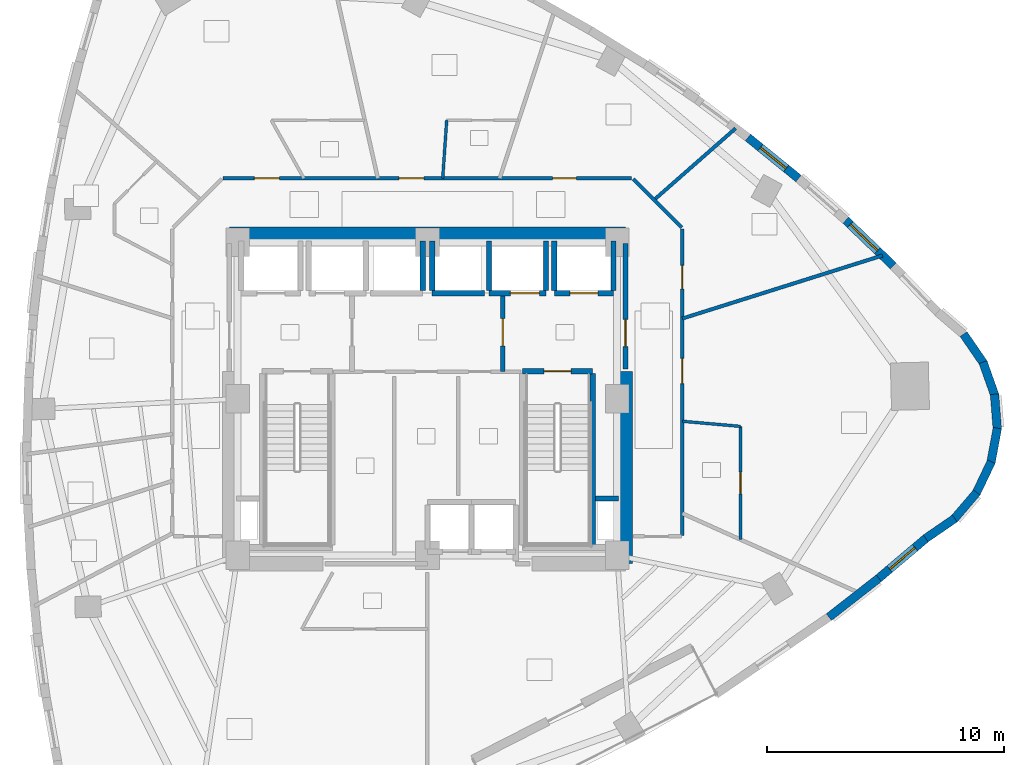
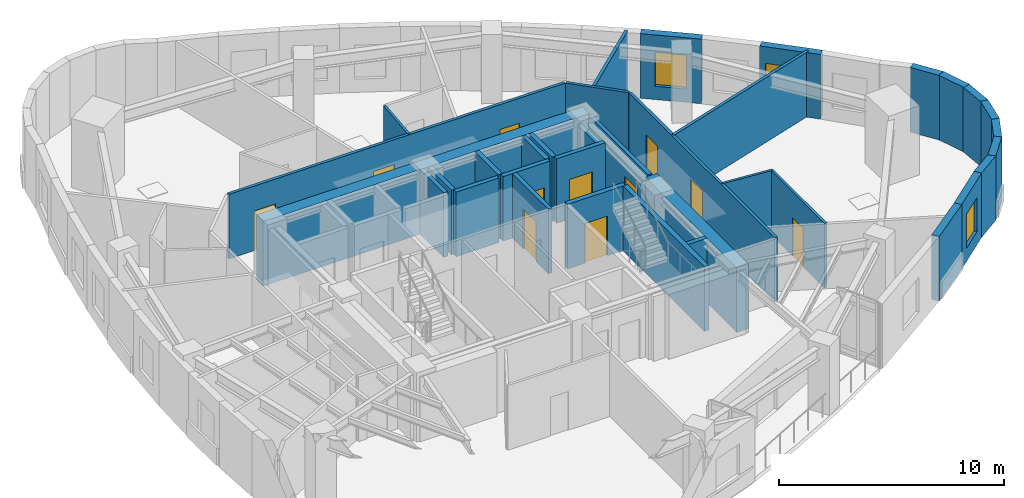
# One storey, part 7 of 11: 35 walls, 11 doors, 3 windows, 14 openings.
"""IFC4 building model written with IfcOpenShell, lengths in metres."""

import ifcopenshell
import ifcopenshell.guid

model = None  # the IFC model being written
_history = None  # IfcOwnerHistory: only IFC2X3 demands one
_inside = {}  # id of a spatial element -> (the spatial element, [elements in it])
_under = {}  # id of a project, library or spatial element -> (it, [spatial elements below it])
_declared = {}  # id of a project -> (the project, [libraries it declares])
_typed = {}  # id of a type object -> (the type object, [elements of that type])
_made_of = {}  # id of a material, layer set ... -> (it, [elements and type objects made of it])


def new_model(schema):
    """Start an empty IFC model of exactly this schema.

    Asked for "IFC4X3", IfcOpenShell would pick the latest addendum, in which some entities
    have other attributes; the version numbers below select the first issue.
    IFC2X3 requires an IfcOwnerHistory on every rooted entity: one is made here for all.
    """
    global model, _history
    if schema == "IFC4X3":
        model = ifcopenshell.file(schema_version=(4, 3, 0, 0))
    else:
        model = ifcopenshell.file(schema=schema)
    _inside.clear()
    _under.clear()
    _declared.clear()
    _typed.clear()
    _made_of.clear()
    _history = None
    if model.schema == "IFC2X3":
        org = make("IfcOrganization", Name="unknown")
        user = make(
            "IfcPersonAndOrganization",
            ThePerson=make("IfcPerson", FamilyName="unknown"),
            TheOrganization=org,
        )
        app = make(
            "IfcApplication",
            ApplicationDeveloper=org,
            Version="unknown",
            ApplicationFullName="unknown",
            ApplicationIdentifier="unknown",
        )
        _history = make(
            "IfcOwnerHistory",
            OwningUser=user,
            OwningApplication=app,
            ChangeAction="ADDED",
            CreationDate=0,
        )
    return model


def make(cls, **values):
    """One entity of the class cls with the attributes given. An attribute that is None is left unset."""
    return model.create_entity(
        cls, **{name: value for name, value in values.items() if value is not None}
    )


def rooted(cls, **values):
    """An entity with a GlobalId (a new one), such as an element, a storey or a relation."""
    return make(cls, GlobalId=ifcopenshell.guid.new(), OwnerHistory=_history, **values)


def si_unit(unit_type, name, prefix=None):
    """IfcSIUnit, for example si_unit("LENGTHUNIT", "METRE", prefix="MILLI")."""
    return make("IfcSIUnit", UnitType=unit_type, Prefix=prefix, Name=name)


def assignment(units):
    """IfcUnitAssignment: the units of a project."""
    return None if units is None else make("IfcUnitAssignment", Units=units)


def point(xyz):
    """IfcCartesianPoint."""
    return None if xyz is None else make("IfcCartesianPoint", Coordinates=xyz)


def direction(xyz):
    """IfcDirection."""
    return None if xyz is None else make("IfcDirection", DirectionRatios=xyz)


def frame(location, z_axis=None, x_axis=None):
    """IfcAxis2Placement3D, a coordinate frame: its origin and axes. An axis left out is left unset."""
    return make(
        "IfcAxis2Placement3D",
        Location=point(location),
        Axis=direction(z_axis),
        RefDirection=direction(x_axis),
    )


def frame_2d(location, x_axis=None):
    """IfcAxis2Placement2D, a coordinate frame in the plane: its origin and x axis."""
    return make(
        "IfcAxis2Placement2D", Location=point(location), RefDirection=direction(x_axis)
    )


def origin():
    """The frame at (0, 0, 0) with its axes left unset."""
    return frame((0.0, 0.0, 0.0))


def place(relative_to, where):
    """IfcLocalPlacement: puts the frame where relative to a parent placement (None: the world)."""
    return make(
        "IfcLocalPlacement", PlacementRelTo=relative_to, RelativePlacement=where
    )


def context(
    kind, dimensions, precision=None, world=None, true_north=None, identifier=None
):
    """IfcGeometricRepresentationContext, for example the 3D "Model" context."""
    return make(
        "IfcGeometricRepresentationContext",
        ContextIdentifier=identifier,
        ContextType=kind,
        CoordinateSpaceDimension=dimensions,
        Precision=precision,
        WorldCoordinateSystem=world,
        TrueNorth=true_north,
    )


def subcontext(parent, identifier, kind, view, scale=None):
    """IfcGeometricRepresentationSubContext, for example "Body" below "Model"."""
    return make(
        "IfcGeometricRepresentationSubContext",
        ContextIdentifier=identifier,
        ContextType=kind,
        ParentContext=parent,
        TargetScale=scale,
        TargetView=view,
    )


def project(units=None, contexts=None):
    """IfcProject with its units and contexts."""
    return rooted(
        "IfcProject",
        Name="project",
        RepresentationContexts=contexts,
        UnitsInContext=assignment(units),
    )


def spatial(cls, under=None, at=None, **own):
    """A site, building, storey or space (cls), placed at a placement, below another one or the project."""
    s = rooted(cls, ObjectPlacement=at, **own)
    if under is not None:
        _under.setdefault(under.id(), (under, []))[1].append(s)
    return s


def profile(cls, at=None, kind="AREA", **sizes):
    """A parametric profile (cls). Its sizes go by their IFC names, for example OverallWidth=200.0."""
    return make(cls, ProfileType=kind, Position=at, **sizes)


def rectangle(**sizes):
    """IfcRectangleProfileDef."""
    return profile("IfcRectangleProfileDef", **sizes)


def extrude(swept, where, along, depth):
    """IfcExtrudedAreaSolid: the profile swept, set in the frame where, extruded along a direction by depth."""
    return make(
        "IfcExtrudedAreaSolid",
        SweptArea=swept,
        Position=where,
        ExtrudedDirection=direction(along),
        Depth=depth,
    )


def shape(context_of_items, identifier, shape_type, items):
    """IfcShapeRepresentation: the items that make up one representation, for example the "Body"."""
    return make(
        "IfcShapeRepresentation",
        ContextOfItems=context_of_items,
        RepresentationIdentifier=identifier,
        RepresentationType=shape_type,
        Items=items,
    )


def material(Name=None, Category=None):
    """IfcMaterial."""
    return make("IfcMaterial", Name=Name, Category=Category)


def layer(
    of_material, thickness, ventilated=None, Name=None, Category=None, Priority=None
):
    """IfcMaterialLayer: one layer of a wall or slab, of a material (None: an air gap)."""
    return make(
        "IfcMaterialLayer",
        Material=of_material,
        LayerThickness=thickness,
        IsVentilated=ventilated,
        Name=Name,
        Category=Category,
        Priority=Priority,
    )


def layer_set(layers, Name=None):
    """IfcMaterialLayerSet."""
    return make("IfcMaterialLayerSet", MaterialLayers=layers, LayerSetName=Name)


def made_of(thing, what):
    """Note that an element or type object is made of a material, layer set ...; save() writes the relation."""
    if what is not None:
        _made_of.setdefault(what.id(), (what, []))[1].append(thing)
    return thing


def type_object(cls, material=None, **own):
    """A type object (cls), such as IfcWallType, which elements share."""
    return made_of(rooted(cls, **own), material)


def element(
    cls,
    number,
    at=None,
    inside=None,
    cuts=None,
    type_object=None,
    material=None,
    context=None,
    identifier="Body",
    shape_type=None,
    held_by="IfcProductDefinitionShape",
    body=None,
    shapes=None,
    **own,
):
    """One element of the class cls, such as IfcWall. Its Tag is "e" and its number.

    at: its placement. inside: the storey or other place that contains it. cuts: it is an
    opening in that element (IfcRelVoidsElement). A single representation is given by context,
    identifier, shape_type and body (its items); several are given by shapes. held_by: the class
    of the entity that holds the representations. save() writes the other relations.
    """
    e = rooted(cls, Tag="e%d" % number, ObjectPlacement=at, **own)
    if body is not None:
        shapes = [shape(context, identifier, shape_type, body)]
    if shapes is not None:
        e.Representation = make(held_by, Representations=shapes)
    if inside is not None:
        _inside.setdefault(inside.id(), (inside, []))[1].append(e)
    if cuts is not None:
        rooted(
            "IfcRelVoidsElement", RelatingBuildingElement=cuts, RelatedOpeningElement=e
        )
    if type_object is not None:
        _typed.setdefault(type_object.id(), (type_object, []))[1].append(e)
    return made_of(e, material)


def fill(opening, filler):
    """IfcRelFillsElement: the door or window that sits in an opening."""
    return rooted(
        "IfcRelFillsElement",
        RelatingOpeningElement=opening,
        RelatedBuildingElement=filler,
    )


def aggregate(whole, parts):
    """IfcRelAggregates: a whole, such as a stair, and the parts it consists of."""
    return rooted("IfcRelAggregates", RelatingObject=whole, RelatedObjects=parts)


def save(model, path):
    """Write the relations noted so far, then the file.

    IfcRelAggregates (storeys below a building ...), IfcRelContainedInSpatialStructure (elements
    in a storey), IfcRelDefinesByType, IfcRelAssociatesMaterial and IfcRelDeclares: one each for
    every whole, place, type object, material and project.
    """
    for whole, parts in _under.values():
        aggregate(whole, parts)
    for where, things in _inside.values():
        rooted(
            "IfcRelContainedInSpatialStructure",
            RelatedElements=things,
            RelatingStructure=where,
        )
    for kind, things in _typed.values():
        rooted("IfcRelDefinesByType", RelatedObjects=things, RelatingType=kind)
    for what, things in _made_of.values():
        rooted("IfcRelAssociatesMaterial", RelatedObjects=things, RelatingMaterial=what)
    for by, libraries in _declared.values():
        rooted("IfcRelDeclares", RelatingContext=by, RelatedDefinitions=libraries)
    model.write(path)


model = new_model("IFC4")

# Units and contexts
model_context = context("Model", 3, precision=1e-05, world=origin(), true_north=direction((0.0, 1.0)))
body_context = subcontext(model_context, "Body", "Model", "MODEL_VIEW")
ifc_project = project(units=[si_unit("LENGTHUNIT", "METRE"), si_unit("AREAUNIT", "SQUARE_METRE"), si_unit("VOLUMEUNIT", "CUBIC_METRE"), si_unit("PLANEANGLEUNIT", "RADIAN"), si_unit("MASSUNIT", "GRAM", prefix="KILO")], contexts=[model_context])

# Site, building, storey
site_placement = place(None, origin())
site = spatial("IfcSite", under=ifc_project, at=site_placement, CompositionType="ELEMENT")
building_placement = place(site_placement, origin())
building = spatial("IfcBuilding", under=site, at=building_placement, Name="Ndelora Gate Hotel", CompositionType="ELEMENT")
storey_placement = place(building_placement, frame((0.0, 0.0, 116.0)))
storey = spatial("IfcBuildingStorey", under=building, at=storey_placement, Name="L28", CompositionType="ELEMENT", Elevation=116.0)

# Wall
ifc_material_1 = material(Name="Clay Brick Masonry", Category="masonry")
ifc_layer_1 = layer(ifc_material_1, 0.360107421875)
ifc_layer_set_1 = layer_set([ifc_layer_1], Name="Clay Brick Masonry")
wall_type_1 = type_object("IfcWallType", Name="WL-BRICK-360", PredefinedType="SOLIDWALL", material=ifc_layer_set_1)
wall_1_placement = place(storey_placement, frame((19.0341796875, -7.561767578125, 0.0), z_axis=(0.0, 0.0, 1.0), x_axis=(-0.788341745542, -0.615237590071, 0.0)))
element("IfcWall", 1, at=wall_1_placement, inside=storey, type_object=wall_type_1, Name="L28 Tower Brick Pier-and-Spandrel Wall TWR-37", PredefinedType="SOLIDWALL", context=body_context, shape_type="SweptSolid", body=[
    extrude(rectangle(XDim=2.669921875, YDim=0.360107421875, at=frame_2d((1.3349609375, 0.0))), origin(), (0.0, 0.0, 1.0), 3.5),
])

# Wall, opening, window
wall_2_placement = place(storey_placement, frame((21.05078125, -5.855712890625, 0.0), z_axis=(0.0, 0.0, 1.0), x_axis=(-0.763688985819, -0.64558433449, 0.0)))
wall_2 = element("IfcWall", 2, at=wall_2_placement, inside=storey, type_object=wall_type_1, Name="L28 Tower Brick Pier-and-Spandrel Wall TWR-38", PredefinedType="SOLIDWALL", context=body_context, shape_type="SweptSolid", body=[
    extrude(rectangle(XDim=2.69140625, YDim=0.360107421875, at=frame_2d((1.345703125, 0.0))), origin(), (0.0, 0.0, 1.0), 3.5),
])
opening_1_placement = place(wall_2_placement, frame((0.645751953125, 0.0, 0.719970703125)))
opening_1 = element("IfcOpeningElement", 3, at=opening_1_placement, cuts=wall_2, Name="Opening W02", PredefinedType="OPENING", context=body_context, shape_type="SweptSolid", body=[
    extrude(rectangle(XDim=1.39990234375, YDim=1.840087890625, at=frame_2d((0.699951171875, 0.919921875))), frame((0.0, 0.18994140625, 0.0), z_axis=(0.0, -1.0, 0.0), x_axis=(1.0, 0.0, 0.0)), (0.0, 0.0, 1.0), 0.380126953125),
])
ifc_material_2 = material(Name="Insulated Low-E Double Glazing in Bronze Aluminium Frame", Category="aluminium")
window_type_1 = type_object("IfcWindowType", Name="WN-DEEP-1400", PartitioningType="SINGLE_PANEL", PredefinedType="WINDOW", material=ifc_material_2)
window_1_placement = place(opening_1_placement, origin())
window_1 = element("IfcWindow", 4, at=window_1_placement, inside=storey, type_object=window_type_1, Name="L28 Deep-Set Brick-Pier Window W02", OverallHeight=1.840087890625, OverallWidth=1.39990234375, PartitioningType="SINGLE_PANEL", PredefinedType="WINDOW", context=body_context, shape_type="SweptSolid", body=[
    extrude(rectangle(XDim=1.39990234375, YDim=1.840087890625, at=frame_2d((0.699951171875, 0.919921875))), frame((0.0, 0.030029296875, 0.0), z_axis=(0.0, -1.0, 0.0), x_axis=(1.0, 0.0, 0.0)), (0.0, 0.0, 1.0), 0.06005859375),
])
fill(opening_1, window_1)

# Walls
for number, where, z_axis, x_axis, name in (
    (5, (22.235595703125, -5.04443359375, 0.0), (0.0, 0.0, 1.0), (-0.824104250472, -0.566438155808, 0.0), "L28 Tower Brick Pier-and-Spandrel Wall TWR-39"),
    (6, (23.163818359375, -3.947998046875, 0.0), (0.0, 0.0, 1.0), (-0.649464075578, -0.760392276745, 0.0), "L28 Tower Brick Pier-and-Spandrel Wall TWR-40"),
):
    element("IfcWall", number, at=place(storey_placement, frame(where, z_axis=z_axis, x_axis=x_axis)), inside=storey, type_object=wall_type_1, Name=name, PredefinedType="SOLIDWALL", context=body_context, shape_type="SweptSolid", body=[
        extrude(rectangle(XDim=1.485595703125, YDim=0.360107421875, at=frame_2d((0.74267578125, 0.0))), origin(), (0.0, 0.0, 1.0), 3.5),
    ])
for number, where, z_axis, x_axis, name in (
    (7, (23.776611328125, -2.6484375, 0.0), (0.0, 0.0, 1.0), (-0.430641383823, -0.902523129088, 0.0), "L28 Tower Brick Pier-and-Spandrel Wall TWR-41"),
    (8, (24.031982421875, -1.234619140625, 0.0), (0.0, 0.0, 1.0), (-0.18238343996, -0.98322748173, 0.0), "L28 Tower Brick Pier-and-Spandrel Wall TWR-42"),
    (9, (23.91259765625, 0.197021484375, 0.0), (0.0, 0.0, 1.0), (0.078543482647, -0.996910688745, 0.0), "L28 Tower Brick Pier-and-Spandrel Wall TWR-43"),
):
    element("IfcWall", number, at=place(storey_placement, frame(where, z_axis=z_axis, x_axis=x_axis)), inside=storey, type_object=wall_type_1, Name=name, PredefinedType="SOLIDWALL", context=body_context, shape_type="SweptSolid", body=[
        extrude(rectangle(XDim=1.48583984375, YDim=0.360107421875, at=frame_2d((0.742919921875, 0.0))), origin(), (0.0, 0.0, 1.0), 3.5),
    ])
for number, where, z_axis, x_axis, name in (
    (10, (23.427001953125, 1.54931640625, 0.0), (0.0, 0.0, 1.0), (0.333816731602, -0.942637995045, 0.0), "L28 Tower Brick Pier-and-Spandrel Wall TWR-44"),
    (11, (22.60791015625, 2.7294921875, 0.0), (0.0, 0.0, 1.0), (0.56647304132, -0.824080271247, 0.0), "L28 Tower Brick Pier-and-Spandrel Wall TWR-45"),
):
    element("IfcWall", number, at=place(storey_placement, frame(where, z_axis=z_axis, x_axis=x_axis)), inside=storey, type_object=wall_type_1, Name=name, PredefinedType="SOLIDWALL", context=body_context, shape_type="SweptSolid", body=[
        extrude(rectangle(XDim=1.486083984375, YDim=0.360107421875, at=frame_2d((0.7431640625, 0.0))), origin(), (0.0, 0.0, 1.0), 3.5),
    ])

# Wall, opening, window
wall_3_placement = place(storey_placement, frame((17.63916015625, 7.531982421875, 0.0), z_axis=(0.0, 0.0, 1.0), x_axis=(0.721375025509, -0.692544635797, 0.0)))
wall_3 = element("IfcWall", 12, at=wall_3_placement, inside=storey, type_object=wall_type_1, Name="L28 Tower Brick Pier-and-Spandrel Wall TWR-48", PredefinedType="SOLIDWALL", context=body_context, shape_type="SweptSolid", body=[
    extrude(rectangle(XDim=2.777587890625, YDim=0.360107421875, at=frame_2d((1.388671875, 0.0))), origin(), (0.0, 0.0, 1.0), 3.5),
])
opening_2_placement = place(wall_3_placement, frame((0.260009765625, 0.0, 0.719970703125)))
opening_2 = element("IfcOpeningElement", 13, at=opening_2_placement, cuts=wall_3, Name="Opening W01", PredefinedType="OPENING", context=body_context, shape_type="SweptSolid", body=[
    extrude(rectangle(XDim=1.60009765625, YDim=1.8798828125, at=frame_2d((0.800048828125, 0.93994140625))), frame((0.0, 0.18994140625, 0.0), z_axis=(0.0, -1.0, 0.0), x_axis=(1.0, 0.0, 0.0)), (0.0, 0.0, 1.0), 0.380126953125),
])
window_type_2 = type_object("IfcWindowType", Name="WN-DEEP-1600", PartitioningType="SINGLE_PANEL", PredefinedType="WINDOW", material=ifc_material_2)
window_2_placement = place(opening_2_placement, origin())
window_2 = element("IfcWindow", 14, at=window_2_placement, inside=storey, type_object=window_type_2, Name="L28 Deep-Set Brick-Pier Window W01", OverallHeight=1.8798828125, OverallWidth=1.60009765625, PartitioningType="SINGLE_PANEL", PredefinedType="WINDOW", context=body_context, shape_type="SweptSolid", body=[
    extrude(rectangle(XDim=1.60009765625, YDim=1.8798828125, at=frame_2d((0.800048828125, 0.93994140625))), frame((0.0, 0.030029296875, 0.0), z_axis=(0.0, -1.0, 0.0), x_axis=(1.0, 0.0, 0.0)), (0.0, 0.0, 1.0), 0.06005859375),
])
fill(opening_2, window_2)

wall_4_placement = place(storey_placement, frame((13.516357421875, 11.021484375, 0.0), z_axis=(0.0, 0.0, 1.0), x_axis=(0.776448630517, -0.630180548866, 0.0)))
wall_4 = element("IfcWall", 15, at=wall_4_placement, inside=storey, type_object=wall_type_1, Name="L28 Tower Brick Pier-and-Spandrel Wall TWR-50", PredefinedType="SOLIDWALL", context=body_context, shape_type="SweptSolid", body=[
    extrude(rectangle(XDim=2.744140625, YDim=0.360107421875, at=frame_2d((1.3720703125, 0.0))), origin(), (0.0, 0.0, 1.0), 3.5),
])
opening_3_placement = place(wall_4_placement, frame((0.672119140625, 0.0, 0.719970703125)))
opening_3 = element("IfcOpeningElement", 16, at=opening_3_placement, cuts=wall_4, Name="Opening W02", PredefinedType="OPENING", context=body_context, shape_type="SweptSolid", body=[
    extrude(rectangle(XDim=1.39990234375, YDim=1.840087890625, at=frame_2d((0.699951171875, 0.919921875))), frame((0.0, 0.18994140625, 0.0), z_axis=(0.0, -1.0, 0.0), x_axis=(1.0, 0.0, 0.0)), (0.0, 0.0, 1.0), 0.380126953125),
])
window_3_placement = place(opening_3_placement, origin())
window_3 = element("IfcWindow", 17, at=window_3_placement, inside=storey, type_object=window_type_1, Name="L28 Deep-Set Brick-Pier Window W02", OverallHeight=1.840087890625, OverallWidth=1.39990234375, PartitioningType="SINGLE_PANEL", PredefinedType="WINDOW", context=body_context, shape_type="SweptSolid", body=[
    extrude(rectangle(XDim=1.39990234375, YDim=1.840087890625, at=frame_2d((0.699951171875, 0.919921875))), frame((0.0, 0.030029296875, 0.0), z_axis=(0.0, -1.0, 0.0), x_axis=(1.0, 0.0, 0.0)), (0.0, 0.0, 1.0), 0.06005859375),
])
fill(opening_3, window_3)

# Walls
ifc_material_3 = material(Name="Concrete C60/75", Category="concrete")
ifc_layer_2 = layer(ifc_material_3, 0.60009765625)
ifc_layer_set_2 = layer_set([ifc_layer_2], Name="Concrete C60/75")
wall_type_2 = type_object("IfcWallType", Name="WL-CORE-600", PredefinedType="SHEAR", material=ifc_layer_set_2)
wall_5_placement = place(storey_placement, frame((-8.35009765625, 6.949951171875, 0.0), z_axis=(0.0, 0.0, 1.0), x_axis=(1.0, 0.0, 0.0)))
element("IfcWall", 18, at=wall_5_placement, inside=storey, type_object=wall_type_2, Name="L28 Core Shear Wall N", PredefinedType="SHEAR", context=body_context, shape_type="SweptSolid", body=[
    extrude(rectangle(XDim=16.7001953125, YDim=0.60009765625, at=frame_2d((8.35009765625, 0.0))), origin(), (0.0, 0.0, 1.0), 3.5),
])
wall_6_placement = place(storey_placement, frame((8.35009765625, -6.949951171875, 0.0), z_axis=(0.0, 0.0, 1.0), x_axis=(0.0, 1.0, 0.0)))
element("IfcWall", 19, at=wall_6_placement, inside=storey, type_object=wall_type_2, Name="L28 Core Shear Wall E", PredefinedType="SHEAR", context=body_context, shape_type="SweptSolid", body=[
    extrude(rectangle(XDim=8.099853515625, YDim=0.60009765625, at=frame_2d((4.0498046875, 0.0))), origin(), (0.0, 0.0, 1.0), 3.5),
])

# Wall, opening, door
ifc_material_4 = material(Name="Concrete C40/50", Category="concrete")
ifc_layer_3 = layer(ifc_material_4, 0.199951171875)
ifc_layer_set_3 = layer_set([ifc_layer_3], Name="Concrete C40/50")
wall_type_3 = type_object("IfcWallType", Name="WL-FIRE-200", PredefinedType="PARTITIONING", material=ifc_layer_set_3)
wall_7_placement = place(storey_placement, frame((3.179931640625, 1.14990234375, 0.0), z_axis=(0.0, 0.0, 1.0), x_axis=(0.0, 1.0, 0.0)))
wall_7 = element("IfcWall", 20, at=wall_7_placement, inside=storey, type_object=wall_type_3, Name="L28 Interior Wall IW-2", PredefinedType="PARTITIONING", context=body_context, shape_type="SweptSolid", body=[
    extrude(rectangle(XDim=3.300048828125, YDim=0.199951171875, at=frame_2d((1.64990234375, 0.0))), origin(), (0.0, 0.0, 1.0), 3.5),
])
opening_4_placement = place(wall_7_placement, frame((1.080078125, 0.0, 0.0)))
opening_4 = element("IfcOpeningElement", 21, at=opening_4_placement, cuts=wall_7, Name="Opening FD1", PredefinedType="OPENING", context=body_context, shape_type="SweptSolid", body=[
    extrude(rectangle(XDim=1.14990234375, YDim=2.14990234375, at=frame_2d((0.574951171875, 1.074951171875))), frame((0.0, 0.10986328125, 0.0), z_axis=(0.0, -1.0, 0.0), x_axis=(1.0, 0.0, 0.0)), (0.0, 0.0, 1.0), 0.219970703125),
])
ifc_material_5 = material(Name="Fire-Rated Timber-Veneer Steel Core", Category="steel")
door_type_1 = type_object("IfcDoorType", Name="DR-FD60", OperationType="SINGLE_SWING_LEFT", PredefinedType="DOOR", material=ifc_material_5)
door_1_placement = place(opening_4_placement, origin())
door_1 = element("IfcDoor", 22, at=door_1_placement, inside=storey, type_object=door_type_1, Name="L28 Firefighting Lobby East Door", OperationType="SINGLE_SWING_LEFT", OverallHeight=2.14990234375, OverallWidth=1.14990234375, PredefinedType="DOOR", context=body_context, shape_type="SweptSolid", body=[
    extrude(rectangle(XDim=1.14990234375, YDim=2.14990234375, at=frame_2d((0.574951171875, 1.074951171875))), frame((0.0, 0.02490234375, 0.0), z_axis=(0.0, -1.0, 0.0), x_axis=(1.0, 0.0, 0.0)), (0.0, 0.0, 1.0), 0.050048828125),
])
fill(opening_4, door_1)

wall_8_placement = place(storey_placement, frame((8.35009765625, 1.25, 0.0), z_axis=(0.0, 0.0, 1.0), x_axis=(0.0, 1.0, 0.0)))
wall_8 = element("IfcWall", 23, at=wall_8_placement, inside=storey, type_object=wall_type_3, Name="L28 Interior Wall IW-2", PredefinedType="PARTITIONING", context=body_context, shape_type="SweptSolid", body=[
    extrude(rectangle(XDim=5.300048828125, YDim=0.199951171875, at=frame_2d((2.64990234375, 0.0))), origin(), (0.0, 0.0, 1.0), 3.5),
])
opening_5_placement = place(wall_8_placement, frame((0.949951171875, 0.0, 0.0)))
opening_5 = element("IfcOpeningElement", 24, at=opening_5_placement, cuts=wall_8, Name="Opening FD1", PredefinedType="OPENING", context=body_context, shape_type="SweptSolid", body=[
    extrude(rectangle(XDim=1.14990234375, YDim=2.14990234375, at=frame_2d((0.574951171875, 1.074951171875))), frame((0.0, 0.10986328125, 0.0), z_axis=(0.0, -1.0, 0.0), x_axis=(1.0, 0.0, 0.0)), (0.0, 0.0, 1.0), 0.219970703125),
])
door_2_placement = place(opening_5_placement, origin())
door_2 = element("IfcDoor", 25, at=door_2_placement, inside=storey, type_object=door_type_1, Name="L28 Firefighting Lobby East Corridor Door", OperationType="SINGLE_SWING_RIGHT", OverallHeight=2.14990234375, OverallWidth=1.14990234375, PredefinedType="DOOR", context=body_context, shape_type="SweptSolid", body=[
    extrude(rectangle(XDim=1.14990234375, YDim=2.14990234375, at=frame_2d((0.574951171875, 1.074951171875))), frame((0.0, 0.02490234375, 0.0), z_axis=(0.0, -1.0, 0.0), x_axis=(1.0, 0.0, 0.0)), (0.0, 0.0, 1.0), 0.050048828125),
])
fill(opening_5, door_2)

# Wall, openings, doors
ifc_material_6 = material(Name="Fire-Rated Gypsum Stud Partition", Category="gypsum")
ifc_layer_4 = layer(ifc_material_6, 0.14990234375)
ifc_layer_set_4 = layer_set([ifc_layer_4], Name="Fire-Rated Gypsum Stud Partition")
wall_type_4 = type_object("IfcWallType", Name="WL-PART-150", PredefinedType="PARTITIONING", material=ifc_layer_set_4)
wall_9_placement = place(storey_placement, frame((10.75, 7.159912109375, 0.0), z_axis=(0.0, 0.0, 1.0), x_axis=(0.0, -1.0, 0.0)))
wall_9 = element("IfcWall", 26, at=wall_9_placement, inside=storey, type_object=wall_type_4, Name="L28 Interior Wall IW-5", PredefinedType="PARTITIONING", context=body_context, shape_type="SweptSolid", body=[
    extrude(rectangle(XDim=12.919921875, YDim=0.14990234375, at=frame_2d((6.4599609375, 0.0))), origin(), (0.0, 0.0, 1.0), 3.5),
])
opening_6_placement = place(wall_9_placement, frame((1.526611328125, 0.0, 0.0)))
opening_6 = element("IfcOpeningElement", 27, at=opening_6_placement, cuts=wall_9, Name="Opening D01", PredefinedType="OPENING", context=body_context, shape_type="SweptSolid", body=[
    extrude(rectangle(XDim=1.0, YDim=2.14990234375, at=frame_2d((0.5, 1.074951171875))), frame((0.0, 0.0849609375, 0.0), z_axis=(0.0, -1.0, 0.0), x_axis=(1.0, 0.0, 0.0)), (0.0, 0.0, 1.0), 0.169921875),
])
opening_7_placement = place(wall_9_placement, frame((5.455078125, 0.0, 0.0)))
opening_7 = element("IfcOpeningElement", 28, at=opening_7_placement, cuts=wall_9, Name="Opening D07", PredefinedType="OPENING", context=body_context, shape_type="SweptSolid", body=[
    extrude(rectangle(XDim=1.06005859375, YDim=2.14990234375, at=frame_2d((0.530029296875, 1.074951171875))), frame((0.0, 0.0849609375, 0.0), z_axis=(0.0, -1.0, 0.0), x_axis=(1.0, 0.0, 0.0)), (0.0, 0.0, 1.0), 0.169921875),
])
ifc_material_7 = material(Name="Acoustic Hardwood Guest Entrance Door", Category="wood")
door_type_2 = type_object("IfcDoorType", Name="DR-COR-1000", OperationType="SINGLE_SWING_LEFT", PredefinedType="DOOR", material=ifc_material_7)
door_3_placement = place(opening_6_placement, origin())
door_3 = element("IfcDoor", 29, at=door_3_placement, inside=storey, type_object=door_type_2, Name="L28 Executive Study Office Entrance Door", OperationType="SINGLE_SWING_RIGHT", OverallHeight=2.14990234375, OverallWidth=1.0, PredefinedType="DOOR", context=body_context, shape_type="SweptSolid", body=[
    extrude(rectangle(XDim=1.0, YDim=2.14990234375, at=frame_2d((0.5, 1.074951171875))), frame((0.0, 0.02490234375, 0.0), z_axis=(0.0, -1.0, 0.0), x_axis=(1.0, 0.0, 0.0)), (0.0, 0.0, 1.0), 0.050048828125),
])
fill(opening_6, door_3)
ifc_material_8 = material(Name="Diplomatic Suite Acoustic Entrance Door", Category="wood")
door_type_3 = type_object("IfcDoorType", Name="DR-SUITE-1060", OperationType="SINGLE_SWING_LEFT", PredefinedType="DOOR", material=ifc_material_8)
door_4_placement = place(opening_7_placement, origin())
door_4 = element("IfcDoor", 30, at=door_4_placement, inside=storey, type_object=door_type_3, Name="L28 Club King Junior Suite 3102 Entrance Door", OperationType="SINGLE_SWING_LEFT", OverallHeight=2.14990234375, OverallWidth=1.06005859375, PredefinedType="DOOR", context=body_context, shape_type="SweptSolid", body=[
    extrude(rectangle(XDim=1.06005859375, YDim=2.14990234375, at=frame_2d((0.530029296875, 1.074951171875))), frame((0.0, 0.02490234375, 0.0), z_axis=(0.0, -1.0, 0.0), x_axis=(1.0, 0.0, 0.0)), (0.0, 0.0, 1.0), 0.050048828125),
])
fill(opening_7, door_4)

# Wall
wall_10_placement = place(storey_placement, frame((8.67822265625, 9.271728515625, 0.0), z_axis=(0.0, 0.0, 1.0), x_axis=(0.707106781187, -0.707106781187, 0.0)))
element("IfcWall", 31, at=wall_10_placement, inside=storey, type_object=wall_type_4, Name="L28 Interior Wall IW-5", PredefinedType="PARTITIONING", context=body_context, shape_type="SweptSolid", body=[
    extrude(rectangle(XDim=2.889892578125, YDim=0.14990234375, at=frame_2d((1.44482421875, 0.0))), origin(), (0.0, 0.0, 1.0), 3.5),
])

# Wall, openings, doors
wall_11_placement = place(storey_placement, frame((-8.610107421875, 9.300048828125, 0.0), z_axis=(0.0, 0.0, 1.0), x_axis=(1.0, 0.0, 0.0)))
wall_11 = element("IfcWall", 32, at=wall_11_placement, inside=storey, type_object=wall_type_4, Name="L28 Interior Wall IW-5", PredefinedType="PARTITIONING", context=body_context, shape_type="SweptSolid", body=[
    extrude(rectangle(XDim=17.22021484375, YDim=0.14990234375, at=frame_2d((8.610107421875, 0.0))), origin(), (0.0, 0.0, 1.0), 3.5),
])
opening_8_placement = place(wall_11_placement, frame((13.88818359375, 0.0, 0.0)))
opening_8 = element("IfcOpeningElement", 33, at=opening_8_placement, cuts=wall_11, Name="Opening D01", PredefinedType="OPENING", context=body_context, shape_type="SweptSolid", body=[
    extrude(rectangle(XDim=1.0, YDim=2.14990234375, at=frame_2d((0.5, 1.074951171875))), frame((0.0, 0.0849609375, 0.0), z_axis=(0.0, -1.0, 0.0), x_axis=(1.0, 0.0, 0.0)), (0.0, 0.0, 1.0), 0.169921875),
])
opening_9_placement = place(wall_11_placement, frame((7.404052734375, 0.0, 0.0)))
opening_9 = element("IfcOpeningElement", 34, at=opening_9_placement, cuts=wall_11, Name="Opening D07", PredefinedType="OPENING", context=body_context, shape_type="SweptSolid", body=[
    extrude(rectangle(XDim=1.06005859375, YDim=2.14990234375, at=frame_2d((0.530029296875, 1.074951171875))), frame((0.0, 0.0849609375, 0.0), z_axis=(0.0, -1.0, 0.0), x_axis=(1.0, 0.0, 0.0)), (0.0, 0.0, 1.0), 0.169921875),
])
opening_10_placement = place(wall_11_placement, frame((1.309326171875, 0.0, 0.0)))
opening_10 = element("IfcOpeningElement", 35, at=opening_10_placement, cuts=wall_11, Name="Opening D07", PredefinedType="OPENING", context=body_context, shape_type="SweptSolid", body=[
    extrude(rectangle(XDim=1.06005859375, YDim=2.14990234375, at=frame_2d((0.530029296875, 1.074951171875))), frame((0.0, 0.0849609375, 0.0), z_axis=(0.0, -1.0, 0.0), x_axis=(1.0, 0.0, 0.0)), (0.0, 0.0, 1.0), 0.169921875),
])
door_5_placement = place(opening_8_placement, origin())
door_5 = element("IfcDoor", 36, at=door_5_placement, inside=storey, type_object=door_type_2, Name="L28 Diplomatic Meeting Room Entrance Door", OperationType="SINGLE_SWING_LEFT", OverallHeight=2.14990234375, OverallWidth=1.0, PredefinedType="DOOR", context=body_context, shape_type="SweptSolid", body=[
    extrude(rectangle(XDim=1.0, YDim=2.14990234375, at=frame_2d((0.5, 1.074951171875))), frame((0.0, 0.02490234375, 0.0), z_axis=(0.0, -1.0, 0.0), x_axis=(1.0, 0.0, 0.0)), (0.0, 0.0, 1.0), 0.050048828125),
])
fill(opening_8, door_5)
door_6_placement = place(opening_9_placement, origin())
door_6 = element("IfcDoor", 37, at=door_6_placement, inside=storey, type_object=door_type_3, Name="L28 Panoramic South Diplomatic Suite 3103 Entrance Door", OperationType="SINGLE_SWING_RIGHT", OverallHeight=2.14990234375, OverallWidth=1.06005859375, PredefinedType="DOOR", context=body_context, shape_type="SweptSolid", body=[
    extrude(rectangle(XDim=1.06005859375, YDim=2.14990234375, at=frame_2d((0.530029296875, 1.074951171875))), frame((0.0, 0.02490234375, 0.0), z_axis=(0.0, -1.0, 0.0), x_axis=(1.0, 0.0, 0.0)), (0.0, 0.0, 1.0), 0.050048828125),
])
fill(opening_9, door_6)
door_7_placement = place(opening_10_placement, origin())
door_7 = element("IfcDoor", 38, at=door_7_placement, inside=storey, type_object=door_type_3, Name="L28 Corner Club Suite 3104 Entrance Door", OperationType="SINGLE_SWING_RIGHT", OverallHeight=2.14990234375, OverallWidth=1.06005859375, PredefinedType="DOOR", context=body_context, shape_type="SweptSolid", body=[
    extrude(rectangle(XDim=1.06005859375, YDim=2.14990234375, at=frame_2d((0.530029296875, 1.074951171875))), frame((0.0, 0.02490234375, 0.0), z_axis=(0.0, -1.0, 0.0), x_axis=(1.0, 0.0, 0.0)), (0.0, 0.0, 1.0), 0.050048828125),
])
fill(opening_10, door_7)

# Walls
wall_12_placement = place(storey_placement, frame((10.75, 3.386962890625, 0.0), z_axis=(0.0, 0.0, 1.0), x_axis=(0.953780573383, 0.300503939804, 0.0)))
element("IfcWall", 39, at=wall_12_placement, inside=storey, type_object=wall_type_4, Name="L28 Interior Wall IW-5", PredefinedType="PARTITIONING", context=body_context, shape_type="SweptSolid", body=[
    extrude(rectangle(XDim=8.8466796875, YDim=0.14990234375, at=frame_2d((4.42333984375, 0.0))), origin(), (0.0, 0.0, 1.0), 3.5),
])
wall_13_placement = place(storey_placement, frame((9.5595703125, 8.390380859375, 0.0), z_axis=(0.0, 0.0, 1.0), x_axis=(0.751553842158, 0.659671753478, 0.0)))
element("IfcWall", 40, at=wall_13_placement, inside=storey, type_object=wall_type_4, Name="L28 Interior Wall IW-5", PredefinedType="PARTITIONING", context=body_context, shape_type="SweptSolid", body=[
    extrude(rectangle(XDim=4.572998046875, YDim=0.14990234375, at=frame_2d((2.28662109375, 0.0))), origin(), (0.0, 0.0, 1.0), 3.5),
])
ifc_layer_5 = layer(ifc_material_4, 0.219970703125)
ifc_layer_set_5 = layer_set([ifc_layer_5], Name="Concrete C40/50")
wall_type_5 = type_object("IfcWallType", Name="WL-SHAFT-220", PredefinedType="PARTITIONING", material=ifc_layer_set_5)
wall_14_placement = place(storey_placement, frame((7.090087890625, -4.199951171875, 0.0), z_axis=(0.0, 0.0, 1.0), x_axis=(1.0, 0.0, 0.0)))
element("IfcWall", 41, at=wall_14_placement, inside=storey, type_object=wall_type_5, Name="L28 Interior Wall IW-1", PredefinedType="PARTITIONING", context=body_context, shape_type="SweptSolid", body=[
    extrude(rectangle(XDim=0.9599609375, YDim=0.219970703125, at=frame_2d((0.47998046875, 0.0))), origin(), (0.0, 0.0, 1.0), 3.5),
])

# Wall, opening, door
wall_15_placement = place(storey_placement, frame((5.35009765625, 4.449951171875, 0.0), z_axis=(0.0, 0.0, 1.0), x_axis=(1.0, 0.0, 0.0)))
wall_15 = element("IfcWall", 42, at=wall_15_placement, inside=storey, type_object=wall_type_5, Name="L28 Interior Wall IW-1", PredefinedType="PARTITIONING", context=body_context, shape_type="SweptSolid", body=[
    extrude(rectangle(XDim=2.5, YDim=0.219970703125, at=frame_2d((1.25, 0.0))), origin(), (0.0, 0.0, 1.0), 3.5),
])
opening_11_placement = place(wall_15_placement, frame((0.659912109375, 0.0, 0.0)))
opening_11 = element("IfcOpeningElement", 43, at=opening_11_placement, cuts=wall_15, Name="Opening LD5", PredefinedType="OPENING", context=body_context, shape_type="SweptSolid", body=[
    extrude(rectangle(XDim=1.179931640625, YDim=2.14990234375, at=frame_2d((0.58984375, 1.074951171875))), frame((0.0, 0.1201171875, 0.0), z_axis=(0.0, -1.0, 0.0), x_axis=(1.0, 0.0, 0.0)), (0.0, 0.0, 1.0), 0.239990234375),
])
ifc_material_9 = material(Name="Firefighting Lift Stainless Sliding Landing Door", Category="metal")
door_type_4 = type_object("IfcDoorType", Name="DR-LD5", OperationType="DOUBLE_DOOR_SLIDING", PredefinedType="DOOR", material=ifc_material_9)
door_8_placement = place(opening_11_placement, origin())
door_8 = element("IfcDoor", 44, at=door_8_placement, inside=storey, type_object=door_type_4, Name="L28 Lift Landing Sliding Door FFL2", OperationType="DOUBLE_DOOR_SLIDING", OverallHeight=2.14990234375, OverallWidth=1.179931640625, PredefinedType="DOOR", context=body_context, shape_type="SweptSolid", body=[
    extrude(rectangle(XDim=1.179931640625, YDim=2.14990234375, at=frame_2d((0.58984375, 1.074951171875))), frame((0.0, 0.02490234375, 0.0), z_axis=(0.0, -1.0, 0.0), x_axis=(1.0, 0.0, 0.0)), (0.0, 0.0, 1.0), 0.050048828125),
])
fill(opening_11, door_8)

# Walls
wall_16_placement = place(storey_placement, frame((5.35009765625, 4.570068359375, 0.0), z_axis=(0.0, 0.0, 1.0), x_axis=(0.0, 1.0, 0.0)))
element("IfcWall", 45, at=wall_16_placement, inside=storey, type_object=wall_type_5, Name="L28 Interior Wall IW-1", PredefinedType="PARTITIONING", context=body_context, shape_type="SweptSolid", body=[
    extrude(rectangle(XDim=2.079833984375, YDim=0.219970703125, at=frame_2d((1.0400390625, 0.0))), origin(), (0.0, 0.0, 1.0), 3.5),
])
wall_17_placement = place(storey_placement, frame((7.85009765625, 4.570068359375, 0.0), z_axis=(0.0, 0.0, 1.0), x_axis=(0.0, 1.0, 0.0)))
element("IfcWall", 46, at=wall_17_placement, inside=storey, type_object=wall_type_5, Name="L28 Interior Wall IW-1", PredefinedType="PARTITIONING", context=body_context, shape_type="SweptSolid", body=[
    extrude(rectangle(XDim=2.079833984375, YDim=0.219970703125, at=frame_2d((1.0400390625, 0.0))), origin(), (0.0, 0.0, 1.0), 3.1201171875),
])

# Wall, opening, door
wall_18_placement = place(storey_placement, frame((2.60009765625, 4.449951171875, 0.0), z_axis=(0.0, 0.0, 1.0), x_axis=(1.0, 0.0, 0.0)))
wall_18 = element("IfcWall", 47, at=wall_18_placement, inside=storey, type_object=wall_type_5, Name="L28 Interior Wall IW-1", PredefinedType="PARTITIONING", context=body_context, shape_type="SweptSolid", body=[
    extrude(rectangle(XDim=2.39990234375, YDim=0.219970703125, at=frame_2d((1.199951171875, 0.0))), origin(), (0.0, 0.0, 1.0), 3.5),
])
opening_12_placement = place(wall_18_placement, frame((0.89990234375, 0.0, 0.0)))
opening_12 = element("IfcOpeningElement", 48, at=opening_12_placement, cuts=wall_18, Name="Opening LD6", PredefinedType="OPENING", context=body_context, shape_type="SweptSolid", body=[
    extrude(rectangle(XDim=1.219970703125, YDim=2.14990234375, at=frame_2d((0.60986328125, 1.074951171875))), frame((0.0, 0.1201171875, 0.0), z_axis=(0.0, -1.0, 0.0), x_axis=(1.0, 0.0, 0.0)), (0.0, 0.0, 1.0), 0.239990234375),
])
ifc_material_10 = material(Name="Heavy-Duty Service Lift Sliding Landing Door", Category="wood")
door_type_5 = type_object("IfcDoorType", Name="DR-LD6", OperationType="DOUBLE_DOOR_SLIDING", PredefinedType="DOOR", material=ifc_material_10)
door_9_placement = place(opening_12_placement, origin())
door_9 = element("IfcDoor", 49, at=door_9_placement, inside=storey, type_object=door_type_5, Name="L28 Lift Landing Sliding Door SVL2", OperationType="DOUBLE_DOOR_SLIDING", OverallHeight=2.14990234375, OverallWidth=1.219970703125, PredefinedType="DOOR", context=body_context, shape_type="SweptSolid", body=[
    extrude(rectangle(XDim=1.219970703125, YDim=2.14990234375, at=frame_2d((0.60986328125, 1.074951171875))), frame((0.0, 0.02490234375, 0.0), z_axis=(0.0, -1.0, 0.0), x_axis=(1.0, 0.0, 0.0)), (0.0, 0.0, 1.0), 0.050048828125),
])
fill(opening_12, door_9)

# Walls
for number, where, z_axis, x_axis, name in (
    (50, (2.60009765625, 4.570068359375, 0.0), (0.0, 0.0, 1.0), (0.0, 1.0, 0.0), "L28 Interior Wall IW-1"),
    (51, (5.0, 4.570068359375, 0.0), (0.0, 0.0, 1.0), (0.0, 1.0, 0.0), "L28 Interior Wall IW-1"),
    (52, (-0.199951171875, 4.570068359375, 0.0), (0.0, 0.0, 1.0), (0.0, 1.0, 0.0), "L28 Interior Wall IW-1"),
):
    element("IfcWall", number, at=place(storey_placement, frame(where, z_axis=z_axis, x_axis=x_axis)), inside=storey, type_object=wall_type_5, Name=name, PredefinedType="PARTITIONING", context=body_context, shape_type="SweptSolid", body=[
        extrude(rectangle(XDim=2.079833984375, YDim=0.219970703125, at=frame_2d((1.0400390625, 0.0))), origin(), (0.0, 0.0, 1.0), 3.5),
    ])
wall_19_placement = place(storey_placement, frame((0.199951171875, 4.449951171875, 0.0), z_axis=(0.0, 0.0, 1.0), x_axis=(1.0, 0.0, 0.0)))
element("IfcWall", 53, at=wall_19_placement, inside=storey, type_object=wall_type_5, Name="L28 Interior Wall IW-1", PredefinedType="PARTITIONING", context=body_context, shape_type="SweptSolid", body=[
    extrude(rectangle(XDim=2.199951171875, YDim=0.219970703125, at=frame_2d((1.10009765625, 0.0))), origin(), (0.0, 0.0, 1.0), 3.5),
])
wall_20_placement = place(storey_placement, frame((0.199951171875, 4.570068359375, 0.0), z_axis=(0.0, 0.0, 1.0), x_axis=(0.0, 1.0, 0.0)))
element("IfcWall", 54, at=wall_20_placement, inside=storey, type_object=wall_type_5, Name="L28 Interior Wall IW-1", PredefinedType="PARTITIONING", context=body_context, shape_type="SweptSolid", body=[
    extrude(rectangle(XDim=2.079833984375, YDim=0.219970703125, at=frame_2d((1.0400390625, 0.0))), origin(), (0.0, 0.0, 1.0), 3.5),
])
ifc_material_11 = material(Name="Concrete C50/60", Category="concrete")
ifc_layer_6 = layer(ifc_material_11, 0.239990234375)
ifc_layer_set_6 = layer_set([ifc_layer_6], Name="Concrete C50/60")
wall_type_6 = type_object("IfcWallType", Name="WL-STAIR-240", PredefinedType="SHEAR", material=ifc_layer_set_6)
wall_21_placement = place(storey_placement, frame((6.969970703125, -6.159912109375, 0.0), z_axis=(0.0, 0.0, 1.0), x_axis=(0.0, 1.0, 0.0)))
element("IfcWall", 55, at=wall_21_placement, inside=storey, type_object=wall_type_6, Name="L28 Stair Core Shear Wall SW-ST", PredefinedType="SHEAR", context=body_context, shape_type="SweptSolid", body=[
    extrude(rectangle(XDim=7.219970703125, YDim=0.239990234375, at=frame_2d((3.60986328125, 0.0))), origin(), (0.0, 0.0, 1.0), 3.5),
])

# Wall, opening, door
wall_22_placement = place(storey_placement, frame((4.010009765625, 1.169921875, 0.0), z_axis=(0.0, 0.0, 1.0), x_axis=(1.0, 0.0, 0.0)))
wall_22 = element("IfcWall", 56, at=wall_22_placement, inside=storey, type_object=wall_type_6, Name="L28 Stair Core Shear Wall SW-ST", PredefinedType="SHEAR", context=body_context, shape_type="SweptSolid", body=[
    extrude(rectangle(XDim=2.9599609375, YDim=0.239990234375, at=frame_2d((1.47998046875, 0.0))), origin(), (0.0, 0.0, 1.0), 3.5),
])
opening_13_placement = place(wall_22_placement, frame((0.89990234375, 0.0, 0.0)))
opening_13 = element("IfcOpeningElement", 57, at=opening_13_placement, cuts=wall_22, Name="Opening FD1", PredefinedType="OPENING", context=body_context, shape_type="SweptSolid", body=[
    extrude(rectangle(XDim=1.14990234375, YDim=2.14990234375, at=frame_2d((0.574951171875, 1.074951171875))), frame((0.0, 0.1298828125, 0.0), z_axis=(0.0, -1.0, 0.0), x_axis=(1.0, 0.0, 0.0)), (0.0, 0.0, 1.0), 0.260009765625),
])
door_10_placement = place(opening_13_placement, origin())
door_10 = element("IfcDoor", 58, at=door_10_placement, inside=storey, type_object=door_type_1, Name="L28 Exit Stair ST5 Door", OperationType="SINGLE_SWING_RIGHT", OverallHeight=2.14990234375, OverallWidth=1.14990234375, PredefinedType="DOOR", context=body_context, shape_type="SweptSolid", body=[
    extrude(rectangle(XDim=1.14990234375, YDim=2.14990234375, at=frame_2d((0.574951171875, 1.074951171875))), frame((0.0, 0.02490234375, 0.0), z_axis=(0.0, -1.0, 0.0), x_axis=(1.0, 0.0, 0.0)), (0.0, 0.0, 1.0), 0.050048828125),
])
fill(opening_13, door_10)

# Wall
ifc_material_12 = material(Name="Moisture-Resistant Bathroom Tile Partition", Category="gypsum")
ifc_layer_7 = layer(ifc_material_12, 0.1201171875)
ifc_layer_set_7 = layer_set([ifc_layer_7], Name="Moisture-Resistant Bathroom Tile Partition")
wall_type_7 = type_object("IfcWallType", Name="WL-WET-120", PredefinedType="PARTITIONING", material=ifc_layer_set_7)
wall_23_placement = place(storey_placement, frame((10.75, -0.945068359375, 0.0), z_axis=(0.0, 0.0, 1.0), x_axis=(0.996159700727, -0.087554843651, 0.0)))
element("IfcWall", 59, at=wall_23_placement, inside=storey, type_object=wall_type_7, Name="L28 Interior Wall IW-7", PredefinedType="PARTITIONING", context=body_context, shape_type="SweptSolid", body=[
    extrude(rectangle(XDim=2.45947265625, YDim=0.1201171875, at=frame_2d((1.229736328125, 0.0))), origin(), (0.0, 0.0, 1.0), 3.5),
])

# Wall, opening, door
wall_24_placement = place(storey_placement, frame((13.199951171875, -1.160400390625, 0.0), z_axis=(0.0, 0.0, 1.0), x_axis=(0.0, -1.0, 0.0)))
wall_24 = element("IfcWall", 60, at=wall_24_placement, inside=storey, type_object=wall_type_7, Name="L28 Interior Wall IW-7", PredefinedType="PARTITIONING", context=body_context, shape_type="SweptSolid", body=[
    extrude(rectangle(XDim=4.77197265625, YDim=0.1201171875, at=frame_2d((2.385986328125, 0.0))), origin(), (0.0, 0.0, 1.0), 3.5),
])
opening_14_placement = place(wall_24_placement, frame((1.92578125, 0.0, 0.0)))
opening_14 = element("IfcOpeningElement", 61, at=opening_14_placement, cuts=wall_24, Name="Opening D03", PredefinedType="OPENING", context=body_context, shape_type="SweptSolid", body=[
    extrude(rectangle(XDim=0.919921875, YDim=2.10009765625, at=frame_2d((0.4599609375, 1.050048828125))), frame((0.0, 0.070068359375, 0.0), z_axis=(0.0, -1.0, 0.0), x_axis=(1.0, 0.0, 0.0)), (0.0, 0.0, 1.0), 0.14013671875),
])
ifc_material_13 = material(Name="Moisture-Resistant Hardwood En-Suite Door", Category="wood")
door_type_6 = type_object("IfcDoorType", Name="DR-BATH-920", OperationType="SINGLE_SWING_LEFT", PredefinedType="DOOR", material=ifc_material_13)
door_11_placement = place(opening_14_placement, origin())
door_11 = element("IfcDoor", 62, at=door_11_placement, inside=storey, type_object=door_type_6, Name="L28 En-suite Bathroom 3102 Door", OperationType="SINGLE_SWING_LEFT", OverallHeight=2.10009765625, OverallWidth=0.919921875, PredefinedType="DOOR", context=body_context, shape_type="SweptSolid", body=[
    extrude(rectangle(XDim=0.919921875, YDim=2.10009765625, at=frame_2d((0.4599609375, 1.050048828125))), frame((0.0, 0.02490234375, 0.0), z_axis=(0.0, -1.0, 0.0), x_axis=(1.0, 0.0, 0.0)), (0.0, 0.0, 1.0), 0.050048828125),
])
fill(opening_14, door_11)

# Wall
wall_25_placement = place(storey_placement, frame((0.644287109375, 9.300048828125, 0.0), z_axis=(0.0, 0.0, 1.0), x_axis=(0.069191030047, 0.997603428904, 0.0)))
element("IfcWall", 63, at=wall_25_placement, inside=storey, type_object=wall_type_7, Name="L28 Interior Wall IW-7", PredefinedType="PARTITIONING", context=body_context, shape_type="SweptSolid", body=[
    extrude(rectangle(XDim=2.455810546875, YDim=0.1201171875, at=frame_2d((1.22802734375, 0.0))), origin(), (0.0, 0.0, 1.0), 3.5),
])

save(model, "model.ifc")
